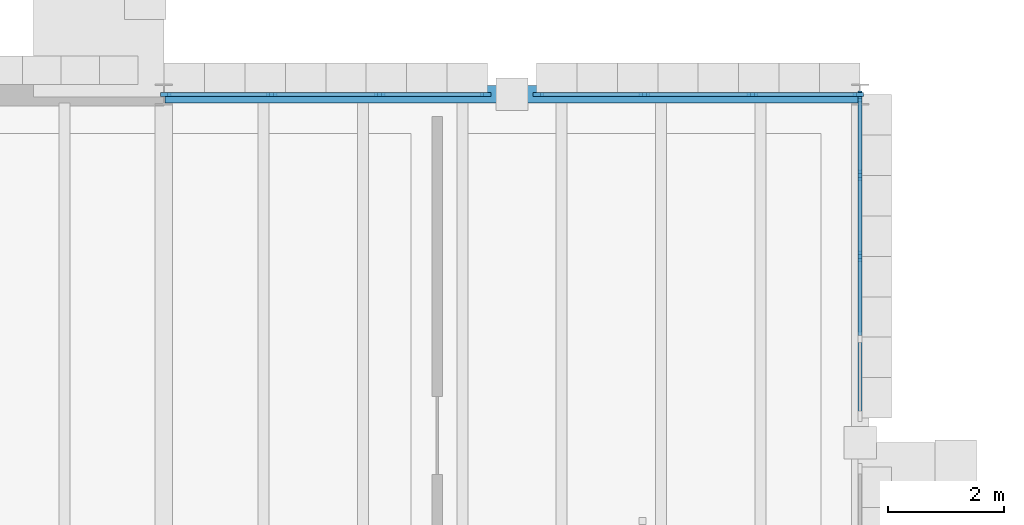
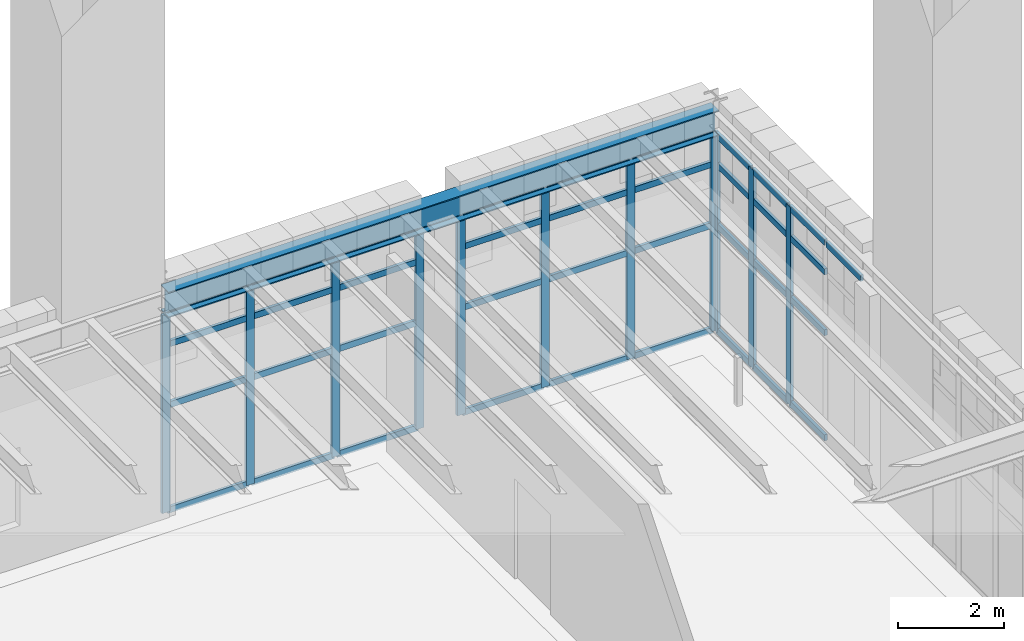
# One storey, part 38 of 103: 48 members, 1 beam, 3 elements without a shape of their own.
"""IFC4 building model written with IfcOpenShell, lengths in metres."""

import ifcopenshell
import ifcopenshell.guid

model = None  # the IFC model being written
_history = None  # IfcOwnerHistory: only IFC2X3 demands one
_inside = {}  # id of a spatial element -> (the spatial element, [elements in it])
_under = {}  # id of a project, library or spatial element -> (it, [spatial elements below it])
_declared = {}  # id of a project -> (the project, [libraries it declares])
_typed = {}  # id of a type object -> (the type object, [elements of that type])
_made_of = {}  # id of a material, layer set ... -> (it, [elements and type objects made of it])


def new_model(schema):
    """Start an empty IFC model of exactly this schema.

    Asked for "IFC4X3", IfcOpenShell would pick the latest addendum, in which some entities
    have other attributes; the version numbers below select the first issue.
    IFC2X3 requires an IfcOwnerHistory on every rooted entity: one is made here for all.
    """
    global model, _history
    if schema == "IFC4X3":
        model = ifcopenshell.file(schema_version=(4, 3, 0, 0))
    else:
        model = ifcopenshell.file(schema=schema)
    _inside.clear()
    _under.clear()
    _declared.clear()
    _typed.clear()
    _made_of.clear()
    _history = None
    if model.schema == "IFC2X3":
        org = make("IfcOrganization", Name="unknown")
        user = make(
            "IfcPersonAndOrganization",
            ThePerson=make("IfcPerson", FamilyName="unknown"),
            TheOrganization=org,
        )
        app = make(
            "IfcApplication",
            ApplicationDeveloper=org,
            Version="unknown",
            ApplicationFullName="unknown",
            ApplicationIdentifier="unknown",
        )
        _history = make(
            "IfcOwnerHistory",
            OwningUser=user,
            OwningApplication=app,
            ChangeAction="ADDED",
            CreationDate=0,
        )
    return model


def make(cls, **values):
    """One entity of the class cls with the attributes given. An attribute that is None is left unset."""
    return model.create_entity(
        cls, **{name: value for name, value in values.items() if value is not None}
    )


def rooted(cls, **values):
    """An entity with a GlobalId (a new one), such as an element, a storey or a relation."""
    return make(cls, GlobalId=ifcopenshell.guid.new(), OwnerHistory=_history, **values)


def si_unit(unit_type, name, prefix=None):
    """IfcSIUnit, for example si_unit("LENGTHUNIT", "METRE", prefix="MILLI")."""
    return make("IfcSIUnit", UnitType=unit_type, Prefix=prefix, Name=name)


def assignment(units):
    """IfcUnitAssignment: the units of a project."""
    return None if units is None else make("IfcUnitAssignment", Units=units)


def point(xyz):
    """IfcCartesianPoint."""
    return None if xyz is None else make("IfcCartesianPoint", Coordinates=xyz)


def direction(xyz):
    """IfcDirection."""
    return None if xyz is None else make("IfcDirection", DirectionRatios=xyz)


def frame(location, z_axis=None, x_axis=None):
    """IfcAxis2Placement3D, a coordinate frame: its origin and axes. An axis left out is left unset."""
    return make(
        "IfcAxis2Placement3D",
        Location=point(location),
        Axis=direction(z_axis),
        RefDirection=direction(x_axis),
    )


def frame_2d(location, x_axis=None):
    """IfcAxis2Placement2D, a coordinate frame in the plane: its origin and x axis."""
    return make(
        "IfcAxis2Placement2D", Location=point(location), RefDirection=direction(x_axis)
    )


def origin():
    """The frame at (0, 0, 0) with its axes left unset."""
    return frame((0.0, 0.0, 0.0))


def origin_2d():
    """The frame at (0, 0) in the plane with its x axis left unset."""
    return frame_2d((0.0, 0.0))


def place(relative_to, where):
    """IfcLocalPlacement: puts the frame where relative to a parent placement (None: the world)."""
    return make(
        "IfcLocalPlacement", PlacementRelTo=relative_to, RelativePlacement=where
    )


def context(
    kind, dimensions, precision=None, world=None, true_north=None, identifier=None
):
    """IfcGeometricRepresentationContext, for example the 3D "Model" context."""
    return make(
        "IfcGeometricRepresentationContext",
        ContextIdentifier=identifier,
        ContextType=kind,
        CoordinateSpaceDimension=dimensions,
        Precision=precision,
        WorldCoordinateSystem=world,
        TrueNorth=true_north,
    )


def subcontext(parent, identifier, kind, view, scale=None):
    """IfcGeometricRepresentationSubContext, for example "Body" below "Model"."""
    return make(
        "IfcGeometricRepresentationSubContext",
        ContextIdentifier=identifier,
        ContextType=kind,
        ParentContext=parent,
        TargetScale=scale,
        TargetView=view,
    )


def project(units=None, contexts=None):
    """IfcProject with its units and contexts."""
    return rooted(
        "IfcProject",
        Name="project",
        RepresentationContexts=contexts,
        UnitsInContext=assignment(units),
    )


def spatial(cls, under=None, at=None, **own):
    """A site, building, storey or space (cls), placed at a placement, below another one or the project."""
    s = rooted(cls, ObjectPlacement=at, **own)
    if under is not None:
        _under.setdefault(under.id(), (under, []))[1].append(s)
    return s


def profile(cls, at=None, kind="AREA", **sizes):
    """A parametric profile (cls). Its sizes go by their IFC names, for example OverallWidth=200.0."""
    return make(cls, ProfileType=kind, Position=at, **sizes)


def rectangle(**sizes):
    """IfcRectangleProfileDef."""
    return profile("IfcRectangleProfileDef", **sizes)


def i_section(**sizes):
    """IfcIShapeProfileDef."""
    return profile("IfcIShapeProfileDef", **sizes)


def extrude(swept, where, along, depth):
    """IfcExtrudedAreaSolid: the profile swept, set in the frame where, extruded along a direction by depth."""
    return make(
        "IfcExtrudedAreaSolid",
        SweptArea=swept,
        Position=where,
        ExtrudedDirection=direction(along),
        Depth=depth,
    )


def shape(context_of_items, identifier, shape_type, items):
    """IfcShapeRepresentation: the items that make up one representation, for example the "Body"."""
    return make(
        "IfcShapeRepresentation",
        ContextOfItems=context_of_items,
        RepresentationIdentifier=identifier,
        RepresentationType=shape_type,
        Items=items,
    )


def material(Name=None, Category=None):
    """IfcMaterial."""
    return make("IfcMaterial", Name=Name, Category=Category)


def layer(
    of_material, thickness, ventilated=None, Name=None, Category=None, Priority=None
):
    """IfcMaterialLayer: one layer of a wall or slab, of a material (None: an air gap)."""
    return make(
        "IfcMaterialLayer",
        Material=of_material,
        LayerThickness=thickness,
        IsVentilated=ventilated,
        Name=Name,
        Category=Category,
        Priority=Priority,
    )


def layer_set(layers, Name=None):
    """IfcMaterialLayerSet."""
    return make("IfcMaterialLayerSet", MaterialLayers=layers, LayerSetName=Name)


def material_profile(
    of_material, cross_section, Name=None, Category=None, Priority=None
):
    """IfcMaterialProfile: a cross section and its material."""
    return make(
        "IfcMaterialProfile",
        Name=Name,
        Material=of_material,
        Profile=cross_section,
        Priority=Priority,
        Category=Category,
    )


def profile_set(profiles, Name=None, composite=None):
    """IfcMaterialProfileSet."""
    return make(
        "IfcMaterialProfileSet",
        Name=Name,
        MaterialProfiles=profiles,
        CompositeProfile=composite,
    )


def made_of(thing, what):
    """Note that an element or type object is made of a material, layer set ...; save() writes the relation."""
    if what is not None:
        _made_of.setdefault(what.id(), (what, []))[1].append(thing)
    return thing


def type_object(cls, material=None, **own):
    """A type object (cls), such as IfcWallType, which elements share."""
    return made_of(rooted(cls, **own), material)


def element(
    cls,
    number,
    at=None,
    inside=None,
    cuts=None,
    type_object=None,
    material=None,
    context=None,
    identifier="Body",
    shape_type=None,
    held_by="IfcProductDefinitionShape",
    body=None,
    shapes=None,
    **own,
):
    """One element of the class cls, such as IfcWall. Its Tag is "e" and its number.

    at: its placement. inside: the storey or other place that contains it. cuts: it is an
    opening in that element (IfcRelVoidsElement). A single representation is given by context,
    identifier, shape_type and body (its items); several are given by shapes. held_by: the class
    of the entity that holds the representations. save() writes the other relations.
    """
    e = rooted(cls, Tag="e%d" % number, ObjectPlacement=at, **own)
    if body is not None:
        shapes = [shape(context, identifier, shape_type, body)]
    if shapes is not None:
        e.Representation = make(held_by, Representations=shapes)
    if inside is not None:
        _inside.setdefault(inside.id(), (inside, []))[1].append(e)
    if cuts is not None:
        rooted(
            "IfcRelVoidsElement", RelatingBuildingElement=cuts, RelatedOpeningElement=e
        )
    if type_object is not None:
        _typed.setdefault(type_object.id(), (type_object, []))[1].append(e)
    return made_of(e, material)


def aggregate(whole, parts):
    """IfcRelAggregates: a whole, such as a stair, and the parts it consists of."""
    return rooted("IfcRelAggregates", RelatingObject=whole, RelatedObjects=parts)


def save(model, path):
    """Write the relations noted so far, then the file.

    IfcRelAggregates (storeys below a building ...), IfcRelContainedInSpatialStructure (elements
    in a storey), IfcRelDefinesByType, IfcRelAssociatesMaterial and IfcRelDeclares: one each for
    every whole, place, type object, material and project.
    """
    for whole, parts in _under.values():
        aggregate(whole, parts)
    for where, things in _inside.values():
        rooted(
            "IfcRelContainedInSpatialStructure",
            RelatedElements=things,
            RelatingStructure=where,
        )
    for kind, things in _typed.values():
        rooted("IfcRelDefinesByType", RelatedObjects=things, RelatingType=kind)
    for what, things in _made_of.values():
        rooted("IfcRelAssociatesMaterial", RelatedObjects=things, RelatingMaterial=what)
    for by, libraries in _declared.values():
        rooted("IfcRelDeclares", RelatingContext=by, RelatedDefinitions=libraries)
    model.write(path)


model = new_model("IFC4")

# Units and contexts
model_context = context("Model", 3, precision=1e-05, world=origin(), true_north=direction((0.0, 1.0)))
body_context = subcontext(model_context, "Body", "Model", "MODEL_VIEW")
ifc_project = project(units=[si_unit("LENGTHUNIT", "METRE"), si_unit("AREAUNIT", "SQUARE_METRE"), si_unit("VOLUMEUNIT", "CUBIC_METRE"), si_unit("PLANEANGLEUNIT", "RADIAN"), si_unit("MASSUNIT", "GRAM", prefix="KILO")], contexts=[model_context])

# Site, building, storey
site_placement = place(None, origin())
site = spatial("IfcSite", under=ifc_project, at=site_placement, CompositionType="ELEMENT")
building_placement = place(site_placement, origin())
building = spatial("IfcBuilding", under=site, at=building_placement, Name="Zlatogorsky Bluff Art Gallery", CompositionType="ELEMENT")
storey_placement = place(building_placement, origin())
storey = spatial("IfcBuildingStorey", under=building, at=storey_placement, Name="L00", CompositionType="ELEMENT", Elevation=0.0)

# Beam
ifc_material_1 = material(Name="Steel S355", Category="steel")
ifc_material_profile_1 = material_profile(ifc_material_1, i_section(OverallWidth=0.300048828125, OverallDepth=0.590087890625, WebThickness=0.012939453125, FlangeThickness=0.02490234375, FilletRadius=0.027099609375, at=origin_2d()), Name="HEA 600")
ifc_profile_set_1 = profile_set([ifc_material_profile_1], Name="Steel S355")
beam_type = type_object("IfcBeamType", Name="Beam BM-05 HEA 600", PredefinedType="BEAM", material=ifc_profile_set_1)
beam_placement = place(storey_placement, frame((144.014892578125, 108.0, 4.844970703125), z_axis=(1.0, 0.0, 0.0), x_axis=(0.0, 1.0, 0.0)))
element("IfcBeam", 1, at=beam_placement, inside=storey, type_object=beam_type, Name="Primary girder BM-05 L00 N-P/11", PredefinedType="BEAM", context=body_context, shape_type="SweptSolid", body=[
    extrude(i_section(OverallWidth=0.300048828125, OverallDepth=0.590087890625, WebThickness=0.012939453125, FlangeThickness=0.02490234375, FilletRadius=0.027099609375, at=origin_2d()), origin(), (0.0, 0.0, 1.0), 11.97021484375),
])

# Curtain wall, members
ifc_material_2 = material(Name="Anodised Bronze Aluminium and Low-Iron Triple Glazing", Category="aluminium")
ifc_layer_1 = layer(ifc_material_2, 0.219970703125)
ifc_layer_set_1 = layer_set([ifc_layer_1], Name="Curtain Wall CW-04")
curtain_wall_type_1 = type_object("IfcCurtainWallType", Name="Curtain Wall CW-04", PredefinedType="USERDEFINED", material=ifc_layer_set_1)
curtain_wall_1_placement = place(storey_placement, origin())
curtain_wall_1 = element("IfcCurtainWall", 2, at=curtain_wall_1_placement, inside=storey, type_object=curtain_wall_type_1, Name="Unitised curtain wall CW-04 L00 N 12.9-A", ObjectType="CURTAIN WALL", PredefinedType="USERDEFINED")
ifc_material_3 = material(Name="Anodised Bronze Aluminium", Category="aluminium")
ifc_material_profile_2 = material_profile(ifc_material_3, rectangle(XDim=0.06494140625, YDim=0.179931640625, at=origin_2d()), Name="ALU MULLION 65x180")
ifc_profile_set_2 = profile_set([ifc_material_profile_2], Name="Anodised Bronze Aluminium")
member_type_1 = type_object("IfcMemberType", Name="Curtain Mullion ML-01", PredefinedType="MULLION", material=ifc_profile_set_2)
member_1_placement = place(storey_placement, frame((155.967529296875, 108.0, 0.0), z_axis=(0.0, 0.0, 1.0), x_axis=(0.0, -1.0, 0.0)))
member_1 = element("IfcMember", 3, at=member_1_placement, type_object=member_type_1, Name="CW-04 mullion 1", PredefinedType="MULLION", context=body_context, shape_type="SweptSolid", body=[
    extrude(rectangle(XDim=0.06494140625, YDim=0.179931640625, at=origin_2d()), origin(), (0.0, 0.0, 1.0), 4.56005859375),
])
member_2_placement = place(storey_placement, frame((154.139892578125, 108.0, 0.0), z_axis=(0.0, 0.0, 1.0), x_axis=(0.0, -1.0, 0.0)))
member_2 = element("IfcMember", 4, at=member_2_placement, type_object=member_type_1, Name="CW-04 mullion 2", PredefinedType="MULLION", context=body_context, shape_type="SweptSolid", body=[
    extrude(rectangle(XDim=0.06494140625, YDim=0.179931640625, at=origin_2d()), origin(), (0.0, 0.0, 1.0), 4.56005859375),
])
member_3_placement = place(storey_placement, frame((152.280029296875, 108.0, 0.0), z_axis=(0.0, 0.0, 1.0), x_axis=(0.0, -1.0, 0.0)))
member_3 = element("IfcMember", 5, at=member_3_placement, type_object=member_type_1, Name="CW-04 mullion 3", PredefinedType="MULLION", context=body_context, shape_type="SweptSolid", body=[
    extrude(rectangle(XDim=0.06494140625, YDim=0.179931640625, at=origin_2d()), origin(), (0.0, 0.0, 1.0), 4.56005859375),
])
member_4_placement = place(storey_placement, frame((150.452392578125, 108.0, 0.0), z_axis=(0.0, 0.0, 1.0), x_axis=(0.0, -1.0, 0.0)))
member_4 = element("IfcMember", 6, at=member_4_placement, type_object=member_type_1, Name="CW-04 mullion 4", PredefinedType="MULLION", context=body_context, shape_type="SweptSolid", body=[
    extrude(rectangle(XDim=0.06494140625, YDim=0.179931640625, at=origin_2d()), origin(), (0.0, 0.0, 1.0), 4.56005859375),
])

curtain_wall_2_placement = place(storey_placement, origin())
curtain_wall_2 = element("IfcCurtainWall", 7, at=curtain_wall_2_placement, inside=storey, type_object=curtain_wall_type_1, Name="Unitised curtain wall CW-04 L00 N 12.9-B", ObjectType="CURTAIN WALL", PredefinedType="USERDEFINED")
member_5_placement = place(storey_placement, frame((149.547607421875, 108.0, 0.0), z_axis=(0.0, 0.0, 1.0), x_axis=(0.0, -1.0, 0.0)))
member_5 = element("IfcMember", 8, at=member_5_placement, type_object=member_type_1, Name="CW-04 mullion 1", PredefinedType="MULLION", context=body_context, shape_type="SweptSolid", body=[
    extrude(rectangle(XDim=0.06494140625, YDim=0.179931640625, at=origin_2d()), origin(), (0.0, 0.0, 1.0), 4.56005859375),
])
member_6_placement = place(storey_placement, frame((147.719970703125, 108.0, 0.0), z_axis=(0.0, 0.0, 1.0), x_axis=(0.0, -1.0, 0.0)))
member_6 = element("IfcMember", 9, at=member_6_placement, type_object=member_type_1, Name="CW-04 mullion 2", PredefinedType="MULLION", context=body_context, shape_type="SweptSolid", body=[
    extrude(rectangle(XDim=0.06494140625, YDim=0.179931640625, at=origin_2d()), origin(), (0.0, 0.0, 1.0), 4.56005859375),
])
member_7_placement = place(storey_placement, frame((145.860107421875, 108.0, 0.0), z_axis=(0.0, 0.0, 1.0), x_axis=(0.0, -1.0, 0.0)))
member_7 = element("IfcMember", 10, at=member_7_placement, type_object=member_type_1, Name="CW-04 mullion 3", PredefinedType="MULLION", context=body_context, shape_type="SweptSolid", body=[
    extrude(rectangle(XDim=0.06494140625, YDim=0.179931640625, at=origin_2d()), origin(), (0.0, 0.0, 1.0), 4.56005859375),
])
member_8_placement = place(storey_placement, frame((144.032470703125, 108.0, 0.0), z_axis=(0.0, 0.0, 1.0), x_axis=(0.0, -1.0, 0.0)))
member_8 = element("IfcMember", 11, at=member_8_placement, type_object=member_type_1, Name="CW-04 mullion 4", PredefinedType="MULLION", context=body_context, shape_type="SweptSolid", body=[
    extrude(rectangle(XDim=0.06494140625, YDim=0.179931640625, at=origin_2d()), origin(), (0.0, 0.0, 1.0), 4.56005859375),
])

ifc_layer_2 = layer(ifc_material_2, 0.199951171875)
ifc_layer_set_2 = layer_set([ifc_layer_2], Name="Curtain Wall CW-02")
curtain_wall_type_2 = type_object("IfcCurtainWallType", Name="Curtain Wall CW-02", PredefinedType="USERDEFINED", material=ifc_layer_set_2)
curtain_wall_3_placement = place(storey_placement, origin())
curtain_wall_3 = element("IfcCurtainWall", 12, at=curtain_wall_3_placement, inside=storey, type_object=curtain_wall_type_2, Name="Unitised curtain wall CW-02 L00 E 12.9-B", ObjectType="CURTAIN WALL", PredefinedType="USERDEFINED")
member_9_placement = place(storey_placement, frame((156.0, 105.2099609375, 0.0), z_axis=(0.0, 0.0, 1.0), x_axis=(-1.0, 0.0, 0.0)))
member_9 = element("IfcMember", 13, at=member_9_placement, type_object=member_type_1, Name="CW-02 mullion 3", PredefinedType="MULLION", context=body_context, shape_type="SweptSolid", body=[
    extrude(rectangle(XDim=0.06494140625, YDim=0.179931640625, at=origin_2d()), origin(), (0.0, 0.0, 1.0), 4.56005859375),
])
member_10_placement = place(storey_placement, frame((156.0, 106.60498046875, 0.0), z_axis=(0.0, 0.0, 1.0), x_axis=(-1.0, 0.0, 0.0)))
member_10 = element("IfcMember", 14, at=member_10_placement, type_object=member_type_1, Name="CW-02 mullion 4", PredefinedType="MULLION", context=body_context, shape_type="SweptSolid", body=[
    extrude(rectangle(XDim=0.06494140625, YDim=0.179931640625, at=origin_2d()), origin(), (0.0, 0.0, 1.0), 4.56005859375),
])
member_11_placement = place(storey_placement, frame((156.0, 107.967529296875, 0.0), z_axis=(0.0, 0.0, 1.0), x_axis=(-1.0, 0.0, 0.0)))
member_11 = element("IfcMember", 15, at=member_11_placement, type_object=member_type_1, Name="CW-02 mullion 5", PredefinedType="MULLION", context=body_context, shape_type="SweptSolid", body=[
    extrude(rectangle(XDim=0.06494140625, YDim=0.179931640625, at=origin_2d()), origin(), (0.0, 0.0, 1.0), 4.56005859375),
])

# Member
ifc_material_profile_3 = material_profile(ifc_material_3, rectangle(XDim=0.06494140625, YDim=0.139892578125, at=origin_2d()), Name="ALU TRANSOM 65x140")
ifc_profile_set_3 = profile_set([ifc_material_profile_3], Name="Anodised Bronze Aluminium")
member_type_2 = type_object("IfcMemberType", Name="Curtain Transom TR-01", PredefinedType="USERDEFINED", material=ifc_profile_set_3)
member_12_placement = place(storey_placement, frame((155.93505859375, 108.0, 0.032470703125), z_axis=(-1.0, 0.0, 0.0), x_axis=(0.0, -1.0, 0.0)))
member_12 = element("IfcMember", 16, at=member_12_placement, type_object=member_type_2, Name="CW-04 transom 1.1", ObjectType="TRANSOM", PredefinedType="USERDEFINED", context=body_context, shape_type="SweptSolid", body=[
    extrude(rectangle(XDim=0.06494140625, YDim=0.139892578125, at=origin_2d()), origin(), (0.0, 0.0, 1.0), 1.762451171875),
])

member_13_placement = place(storey_placement, frame((155.93505859375, 108.0, 2.449951171875), z_axis=(-1.0, 0.0, 0.0), x_axis=(0.0, -1.0, 0.0)))
member_13 = element("IfcMember", 17, at=member_13_placement, type_object=member_type_2, Name="CW-04 transom 1.2", ObjectType="TRANSOM", PredefinedType="USERDEFINED", context=body_context, shape_type="SweptSolid", body=[
    extrude(rectangle(XDim=0.06494140625, YDim=0.139892578125, at=origin_2d()), origin(), (0.0, 0.0, 1.0), 1.762451171875),
])

member_14_placement = place(storey_placement, frame((155.93505859375, 108.0, 3.85009765625), z_axis=(-1.0, 0.0, 0.0), x_axis=(0.0, -1.0, 0.0)))
member_14 = element("IfcMember", 18, at=member_14_placement, type_object=member_type_2, Name="CW-04 transom 1.3", ObjectType="TRANSOM", PredefinedType="USERDEFINED", context=body_context, shape_type="SweptSolid", body=[
    extrude(rectangle(XDim=0.06494140625, YDim=0.139892578125, at=origin_2d()), origin(), (0.0, 0.0, 1.0), 1.762451171875),
])

member_15_placement = place(storey_placement, frame((155.93505859375, 108.0, 4.527587890625), z_axis=(-1.0, 0.0, 0.0), x_axis=(0.0, -1.0, 0.0)))
member_15 = element("IfcMember", 19, at=member_15_placement, type_object=member_type_2, Name="CW-04 transom 1.4", ObjectType="TRANSOM", PredefinedType="USERDEFINED", context=body_context, shape_type="SweptSolid", body=[
    extrude(rectangle(XDim=0.06494140625, YDim=0.139892578125, at=origin_2d()), origin(), (0.0, 0.0, 1.0), 1.762451171875),
])

member_16_placement = place(storey_placement, frame((154.107421875, 108.0, 0.032470703125), z_axis=(-1.0, 0.0, 0.0), x_axis=(0.0, -1.0, 0.0)))
member_16 = element("IfcMember", 20, at=member_16_placement, type_object=member_type_2, Name="CW-04 transom 2.1", ObjectType="TRANSOM", PredefinedType="USERDEFINED", context=body_context, shape_type="SweptSolid", body=[
    extrude(rectangle(XDim=0.06494140625, YDim=0.139892578125, at=origin_2d()), origin(), (0.0, 0.0, 1.0), 1.794921875),
])

member_17_placement = place(storey_placement, frame((154.107421875, 108.0, 2.449951171875), z_axis=(-1.0, 0.0, 0.0), x_axis=(0.0, -1.0, 0.0)))
member_17 = element("IfcMember", 21, at=member_17_placement, type_object=member_type_2, Name="CW-04 transom 2.2", ObjectType="TRANSOM", PredefinedType="USERDEFINED", context=body_context, shape_type="SweptSolid", body=[
    extrude(rectangle(XDim=0.06494140625, YDim=0.139892578125, at=origin_2d()), origin(), (0.0, 0.0, 1.0), 1.794921875),
])

member_18_placement = place(storey_placement, frame((154.107421875, 108.0, 3.85009765625), z_axis=(-1.0, 0.0, 0.0), x_axis=(0.0, -1.0, 0.0)))
member_18 = element("IfcMember", 22, at=member_18_placement, type_object=member_type_2, Name="CW-04 transom 2.3", ObjectType="TRANSOM", PredefinedType="USERDEFINED", context=body_context, shape_type="SweptSolid", body=[
    extrude(rectangle(XDim=0.06494140625, YDim=0.139892578125, at=origin_2d()), origin(), (0.0, 0.0, 1.0), 1.794921875),
])

member_19_placement = place(storey_placement, frame((154.107421875, 108.0, 4.527587890625), z_axis=(-1.0, 0.0, 0.0), x_axis=(0.0, -1.0, 0.0)))
member_19 = element("IfcMember", 23, at=member_19_placement, type_object=member_type_2, Name="CW-04 transom 2.4", ObjectType="TRANSOM", PredefinedType="USERDEFINED", context=body_context, shape_type="SweptSolid", body=[
    extrude(rectangle(XDim=0.06494140625, YDim=0.139892578125, at=origin_2d()), origin(), (0.0, 0.0, 1.0), 1.794921875),
])

member_20_placement = place(storey_placement, frame((152.24755859375, 108.0, 0.032470703125), z_axis=(-1.0, 0.0, 0.0), x_axis=(0.0, -1.0, 0.0)))
member_20 = element("IfcMember", 24, at=member_20_placement, type_object=member_type_2, Name="CW-04 transom 3.1", ObjectType="TRANSOM", PredefinedType="USERDEFINED", context=body_context, shape_type="SweptSolid", body=[
    extrude(rectangle(XDim=0.06494140625, YDim=0.139892578125, at=origin_2d()), origin(), (0.0, 0.0, 1.0), 1.762451171875),
])

member_21_placement = place(storey_placement, frame((152.24755859375, 108.0, 2.449951171875), z_axis=(-1.0, 0.0, 0.0), x_axis=(0.0, -1.0, 0.0)))
member_21 = element("IfcMember", 25, at=member_21_placement, type_object=member_type_2, Name="CW-04 transom 3.2", ObjectType="TRANSOM", PredefinedType="USERDEFINED", context=body_context, shape_type="SweptSolid", body=[
    extrude(rectangle(XDim=0.06494140625, YDim=0.139892578125, at=origin_2d()), origin(), (0.0, 0.0, 1.0), 1.762451171875),
])

member_22_placement = place(storey_placement, frame((152.24755859375, 108.0, 3.85009765625), z_axis=(-1.0, 0.0, 0.0), x_axis=(0.0, -1.0, 0.0)))
member_22 = element("IfcMember", 26, at=member_22_placement, type_object=member_type_2, Name="CW-04 transom 3.3", ObjectType="TRANSOM", PredefinedType="USERDEFINED", context=body_context, shape_type="SweptSolid", body=[
    extrude(rectangle(XDim=0.06494140625, YDim=0.139892578125, at=origin_2d()), origin(), (0.0, 0.0, 1.0), 1.762451171875),
])

member_23_placement = place(storey_placement, frame((152.24755859375, 108.0, 4.527587890625), z_axis=(-1.0, 0.0, 0.0), x_axis=(0.0, -1.0, 0.0)))
member_23 = element("IfcMember", 27, at=member_23_placement, type_object=member_type_2, Name="CW-04 transom 3.4", ObjectType="TRANSOM", PredefinedType="USERDEFINED", context=body_context, shape_type="SweptSolid", body=[
    extrude(rectangle(XDim=0.06494140625, YDim=0.139892578125, at=origin_2d()), origin(), (0.0, 0.0, 1.0), 1.762451171875),
])

aggregate(curtain_wall_1, [member_1, member_2, member_3, member_4, member_12, member_13, member_14, member_15, member_16, member_17, member_18, member_19, member_20, member_21, member_22, member_23])

member_24_placement = place(storey_placement, frame((149.514892578125, 108.0, 0.032470703125), z_axis=(-1.0, 0.0, 0.0), x_axis=(0.0, -1.0, 0.0)))
member_24 = element("IfcMember", 28, at=member_24_placement, type_object=member_type_2, Name="CW-04 transom 1.1", ObjectType="TRANSOM", PredefinedType="USERDEFINED", context=body_context, shape_type="SweptSolid", body=[
    extrude(rectangle(XDim=0.06494140625, YDim=0.139892578125, at=origin_2d()), origin(), (0.0, 0.0, 1.0), 1.762451171875),
])

member_25_placement = place(storey_placement, frame((149.514892578125, 108.0, 2.449951171875), z_axis=(-1.0, 0.0, 0.0), x_axis=(0.0, -1.0, 0.0)))
member_25 = element("IfcMember", 29, at=member_25_placement, type_object=member_type_2, Name="CW-04 transom 1.2", ObjectType="TRANSOM", PredefinedType="USERDEFINED", context=body_context, shape_type="SweptSolid", body=[
    extrude(rectangle(XDim=0.06494140625, YDim=0.139892578125, at=origin_2d()), origin(), (0.0, 0.0, 1.0), 1.762451171875),
])

member_26_placement = place(storey_placement, frame((149.514892578125, 108.0, 3.85009765625), z_axis=(-1.0, 0.0, 0.0), x_axis=(0.0, -1.0, 0.0)))
member_26 = element("IfcMember", 30, at=member_26_placement, type_object=member_type_2, Name="CW-04 transom 1.3", ObjectType="TRANSOM", PredefinedType="USERDEFINED", context=body_context, shape_type="SweptSolid", body=[
    extrude(rectangle(XDim=0.06494140625, YDim=0.139892578125, at=origin_2d()), origin(), (0.0, 0.0, 1.0), 1.762451171875),
])

member_27_placement = place(storey_placement, frame((149.514892578125, 108.0, 4.527587890625), z_axis=(-1.0, 0.0, 0.0), x_axis=(0.0, -1.0, 0.0)))
member_27 = element("IfcMember", 31, at=member_27_placement, type_object=member_type_2, Name="CW-04 transom 1.4", ObjectType="TRANSOM", PredefinedType="USERDEFINED", context=body_context, shape_type="SweptSolid", body=[
    extrude(rectangle(XDim=0.06494140625, YDim=0.139892578125, at=origin_2d()), origin(), (0.0, 0.0, 1.0), 1.762451171875),
])

member_28_placement = place(storey_placement, frame((147.6875, 108.0, 0.032470703125), z_axis=(-1.0, 0.0, 0.0), x_axis=(0.0, -1.0, 0.0)))
member_28 = element("IfcMember", 32, at=member_28_placement, type_object=member_type_2, Name="CW-04 transom 2.1", ObjectType="TRANSOM", PredefinedType="USERDEFINED", context=body_context, shape_type="SweptSolid", body=[
    extrude(rectangle(XDim=0.06494140625, YDim=0.139892578125, at=origin_2d()), origin(), (0.0, 0.0, 1.0), 1.794921875),
])

member_29_placement = place(storey_placement, frame((147.6875, 108.0, 2.449951171875), z_axis=(-1.0, 0.0, 0.0), x_axis=(0.0, -1.0, 0.0)))
member_29 = element("IfcMember", 33, at=member_29_placement, type_object=member_type_2, Name="CW-04 transom 2.2", ObjectType="TRANSOM", PredefinedType="USERDEFINED", context=body_context, shape_type="SweptSolid", body=[
    extrude(rectangle(XDim=0.06494140625, YDim=0.139892578125, at=origin_2d()), origin(), (0.0, 0.0, 1.0), 1.794921875),
])

member_30_placement = place(storey_placement, frame((147.6875, 108.0, 3.85009765625), z_axis=(-1.0, 0.0, 0.0), x_axis=(0.0, -1.0, 0.0)))
member_30 = element("IfcMember", 34, at=member_30_placement, type_object=member_type_2, Name="CW-04 transom 2.3", ObjectType="TRANSOM", PredefinedType="USERDEFINED", context=body_context, shape_type="SweptSolid", body=[
    extrude(rectangle(XDim=0.06494140625, YDim=0.139892578125, at=origin_2d()), origin(), (0.0, 0.0, 1.0), 1.794921875),
])

member_31_placement = place(storey_placement, frame((147.6875, 108.0, 4.527587890625), z_axis=(-1.0, 0.0, 0.0), x_axis=(0.0, -1.0, 0.0)))
member_31 = element("IfcMember", 35, at=member_31_placement, type_object=member_type_2, Name="CW-04 transom 2.4", ObjectType="TRANSOM", PredefinedType="USERDEFINED", context=body_context, shape_type="SweptSolid", body=[
    extrude(rectangle(XDim=0.06494140625, YDim=0.139892578125, at=origin_2d()), origin(), (0.0, 0.0, 1.0), 1.794921875),
])

member_32_placement = place(storey_placement, frame((145.827392578125, 108.0, 0.032470703125), z_axis=(-1.0, 0.0, 0.0), x_axis=(0.0, -1.0, 0.0)))
member_32 = element("IfcMember", 36, at=member_32_placement, type_object=member_type_2, Name="CW-04 transom 3.1", ObjectType="TRANSOM", PredefinedType="USERDEFINED", context=body_context, shape_type="SweptSolid", body=[
    extrude(rectangle(XDim=0.06494140625, YDim=0.139892578125, at=origin_2d()), origin(), (0.0, 0.0, 1.0), 1.762451171875),
])

member_33_placement = place(storey_placement, frame((145.827392578125, 108.0, 2.449951171875), z_axis=(-1.0, 0.0, 0.0), x_axis=(0.0, -1.0, 0.0)))
member_33 = element("IfcMember", 37, at=member_33_placement, type_object=member_type_2, Name="CW-04 transom 3.2", ObjectType="TRANSOM", PredefinedType="USERDEFINED", context=body_context, shape_type="SweptSolid", body=[
    extrude(rectangle(XDim=0.06494140625, YDim=0.139892578125, at=origin_2d()), origin(), (0.0, 0.0, 1.0), 1.762451171875),
])

member_34_placement = place(storey_placement, frame((145.827392578125, 108.0, 3.85009765625), z_axis=(-1.0, 0.0, 0.0), x_axis=(0.0, -1.0, 0.0)))
member_34 = element("IfcMember", 38, at=member_34_placement, type_object=member_type_2, Name="CW-04 transom 3.3", ObjectType="TRANSOM", PredefinedType="USERDEFINED", context=body_context, shape_type="SweptSolid", body=[
    extrude(rectangle(XDim=0.06494140625, YDim=0.139892578125, at=origin_2d()), origin(), (0.0, 0.0, 1.0), 1.762451171875),
])

member_35_placement = place(storey_placement, frame((145.827392578125, 108.0, 4.527587890625), z_axis=(-1.0, 0.0, 0.0), x_axis=(0.0, -1.0, 0.0)))
member_35 = element("IfcMember", 39, at=member_35_placement, type_object=member_type_2, Name="CW-04 transom 3.4", ObjectType="TRANSOM", PredefinedType="USERDEFINED", context=body_context, shape_type="SweptSolid", body=[
    extrude(rectangle(XDim=0.06494140625, YDim=0.139892578125, at=origin_2d()), origin(), (0.0, 0.0, 1.0), 1.762451171875),
])

aggregate(curtain_wall_2, [member_5, member_6, member_7, member_8, member_24, member_25, member_26, member_27, member_28, member_29, member_30, member_31, member_32, member_33, member_34, member_35])

member_36_placement = place(storey_placement, frame((156.0, 102.485107421875, 4.527587890625), z_axis=(0.0, 1.0, 0.0), x_axis=(-1.0, 0.0, 0.0)))
member_36 = element("IfcMember", 40, at=member_36_placement, type_object=member_type_2, Name="CW-02 transom 1.4", ObjectType="TRANSOM", PredefinedType="USERDEFINED", context=body_context, shape_type="SweptSolid", body=[
    extrude(rectangle(XDim=0.06494140625, YDim=0.139892578125, at=origin_2d()), origin(), (0.0, 0.0, 1.0), 1.29736328125),
])

member_37_placement = place(storey_placement, frame((156.0, 103.847412109375, 0.032470703125), z_axis=(0.0, 1.0, 0.0), x_axis=(-1.0, 0.0, 0.0)))
member_37 = element("IfcMember", 41, at=member_37_placement, type_object=member_type_2, Name="CW-02 transom 2.1", ObjectType="TRANSOM", PredefinedType="USERDEFINED", context=body_context, shape_type="SweptSolid", body=[
    extrude(rectangle(XDim=0.06494140625, YDim=0.139892578125, at=origin_2d()), origin(), (0.0, 0.0, 1.0), 1.330078125),
])

member_38_placement = place(storey_placement, frame((156.0, 103.847412109375, 2.449951171875), z_axis=(0.0, 1.0, 0.0), x_axis=(-1.0, 0.0, 0.0)))
member_38 = element("IfcMember", 42, at=member_38_placement, type_object=member_type_2, Name="CW-02 transom 2.2", ObjectType="TRANSOM", PredefinedType="USERDEFINED", context=body_context, shape_type="SweptSolid", body=[
    extrude(rectangle(XDim=0.06494140625, YDim=0.139892578125, at=origin_2d()), origin(), (0.0, 0.0, 1.0), 1.330078125),
])

member_39_placement = place(storey_placement, frame((156.0, 103.847412109375, 3.85009765625), z_axis=(0.0, 1.0, 0.0), x_axis=(-1.0, 0.0, 0.0)))
member_39 = element("IfcMember", 43, at=member_39_placement, type_object=member_type_2, Name="CW-02 transom 2.3", ObjectType="TRANSOM", PredefinedType="USERDEFINED", context=body_context, shape_type="SweptSolid", body=[
    extrude(rectangle(XDim=0.06494140625, YDim=0.139892578125, at=origin_2d()), origin(), (0.0, 0.0, 1.0), 1.330078125),
])

member_40_placement = place(storey_placement, frame((156.0, 103.847412109375, 4.527587890625), z_axis=(0.0, 1.0, 0.0), x_axis=(-1.0, 0.0, 0.0)))
member_40 = element("IfcMember", 44, at=member_40_placement, type_object=member_type_2, Name="CW-02 transom 2.4", ObjectType="TRANSOM", PredefinedType="USERDEFINED", context=body_context, shape_type="SweptSolid", body=[
    extrude(rectangle(XDim=0.06494140625, YDim=0.139892578125, at=origin_2d()), origin(), (0.0, 0.0, 1.0), 1.330078125),
])

member_41_placement = place(storey_placement, frame((156.0, 105.242431640625, 0.032470703125), z_axis=(0.0, 1.0, 0.0), x_axis=(-1.0, 0.0, 0.0)))
member_41 = element("IfcMember", 45, at=member_41_placement, type_object=member_type_2, Name="CW-02 transom 3.1", ObjectType="TRANSOM", PredefinedType="USERDEFINED", context=body_context, shape_type="SweptSolid", body=[
    extrude(rectangle(XDim=0.06494140625, YDim=0.139892578125, at=origin_2d()), origin(), (0.0, 0.0, 1.0), 1.330078125),
])

member_42_placement = place(storey_placement, frame((156.0, 105.242431640625, 2.449951171875), z_axis=(0.0, 1.0, 0.0), x_axis=(-1.0, 0.0, 0.0)))
member_42 = element("IfcMember", 46, at=member_42_placement, type_object=member_type_2, Name="CW-02 transom 3.2", ObjectType="TRANSOM", PredefinedType="USERDEFINED", context=body_context, shape_type="SweptSolid", body=[
    extrude(rectangle(XDim=0.06494140625, YDim=0.139892578125, at=origin_2d()), origin(), (0.0, 0.0, 1.0), 1.330078125),
])

member_43_placement = place(storey_placement, frame((156.0, 105.242431640625, 3.85009765625), z_axis=(0.0, 1.0, 0.0), x_axis=(-1.0, 0.0, 0.0)))
member_43 = element("IfcMember", 47, at=member_43_placement, type_object=member_type_2, Name="CW-02 transom 3.3", ObjectType="TRANSOM", PredefinedType="USERDEFINED", context=body_context, shape_type="SweptSolid", body=[
    extrude(rectangle(XDim=0.06494140625, YDim=0.139892578125, at=origin_2d()), origin(), (0.0, 0.0, 1.0), 1.330078125),
])

member_44_placement = place(storey_placement, frame((156.0, 105.242431640625, 4.527587890625), z_axis=(0.0, 1.0, 0.0), x_axis=(-1.0, 0.0, 0.0)))
member_44 = element("IfcMember", 48, at=member_44_placement, type_object=member_type_2, Name="CW-02 transom 3.4", ObjectType="TRANSOM", PredefinedType="USERDEFINED", context=body_context, shape_type="SweptSolid", body=[
    extrude(rectangle(XDim=0.06494140625, YDim=0.139892578125, at=origin_2d()), origin(), (0.0, 0.0, 1.0), 1.330078125),
])

member_45_placement = place(storey_placement, frame((156.0, 106.637451171875, 0.032470703125), z_axis=(0.0, 1.0, 0.0), x_axis=(-1.0, 0.0, 0.0)))
member_45 = element("IfcMember", 49, at=member_45_placement, type_object=member_type_2, Name="CW-02 transom 4.1", ObjectType="TRANSOM", PredefinedType="USERDEFINED", context=body_context, shape_type="SweptSolid", body=[
    extrude(rectangle(XDim=0.06494140625, YDim=0.139892578125, at=origin_2d()), origin(), (0.0, 0.0, 1.0), 1.297607421875),
])

member_46_placement = place(storey_placement, frame((156.0, 106.637451171875, 2.449951171875), z_axis=(0.0, 1.0, 0.0), x_axis=(-1.0, 0.0, 0.0)))
member_46 = element("IfcMember", 50, at=member_46_placement, type_object=member_type_2, Name="CW-02 transom 4.2", ObjectType="TRANSOM", PredefinedType="USERDEFINED", context=body_context, shape_type="SweptSolid", body=[
    extrude(rectangle(XDim=0.06494140625, YDim=0.139892578125, at=origin_2d()), origin(), (0.0, 0.0, 1.0), 1.297607421875),
])

member_47_placement = place(storey_placement, frame((156.0, 106.637451171875, 3.85009765625), z_axis=(0.0, 1.0, 0.0), x_axis=(-1.0, 0.0, 0.0)))
member_47 = element("IfcMember", 51, at=member_47_placement, type_object=member_type_2, Name="CW-02 transom 4.3", ObjectType="TRANSOM", PredefinedType="USERDEFINED", context=body_context, shape_type="SweptSolid", body=[
    extrude(rectangle(XDim=0.06494140625, YDim=0.139892578125, at=origin_2d()), origin(), (0.0, 0.0, 1.0), 1.297607421875),
])

member_48_placement = place(storey_placement, frame((156.0, 106.637451171875, 4.527587890625), z_axis=(0.0, 1.0, 0.0), x_axis=(-1.0, 0.0, 0.0)))
member_48 = element("IfcMember", 52, at=member_48_placement, type_object=member_type_2, Name="CW-02 transom 4.4", ObjectType="TRANSOM", PredefinedType="USERDEFINED", context=body_context, shape_type="SweptSolid", body=[
    extrude(rectangle(XDim=0.06494140625, YDim=0.139892578125, at=origin_2d()), origin(), (0.0, 0.0, 1.0), 1.297607421875),
])

aggregate(curtain_wall_3, [member_9, member_10, member_11, member_36, member_37, member_38, member_39, member_40, member_41, member_42, member_43, member_44, member_45, member_46, member_47, member_48])

save(model, "model.ifc")
